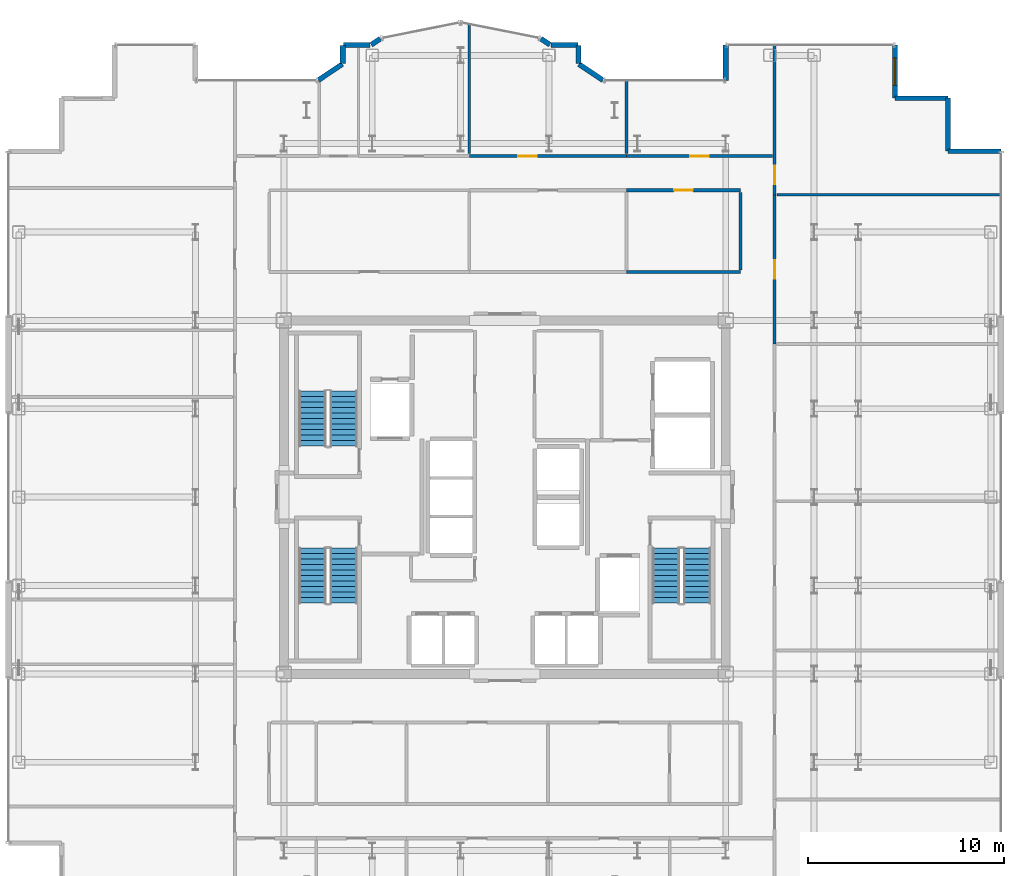
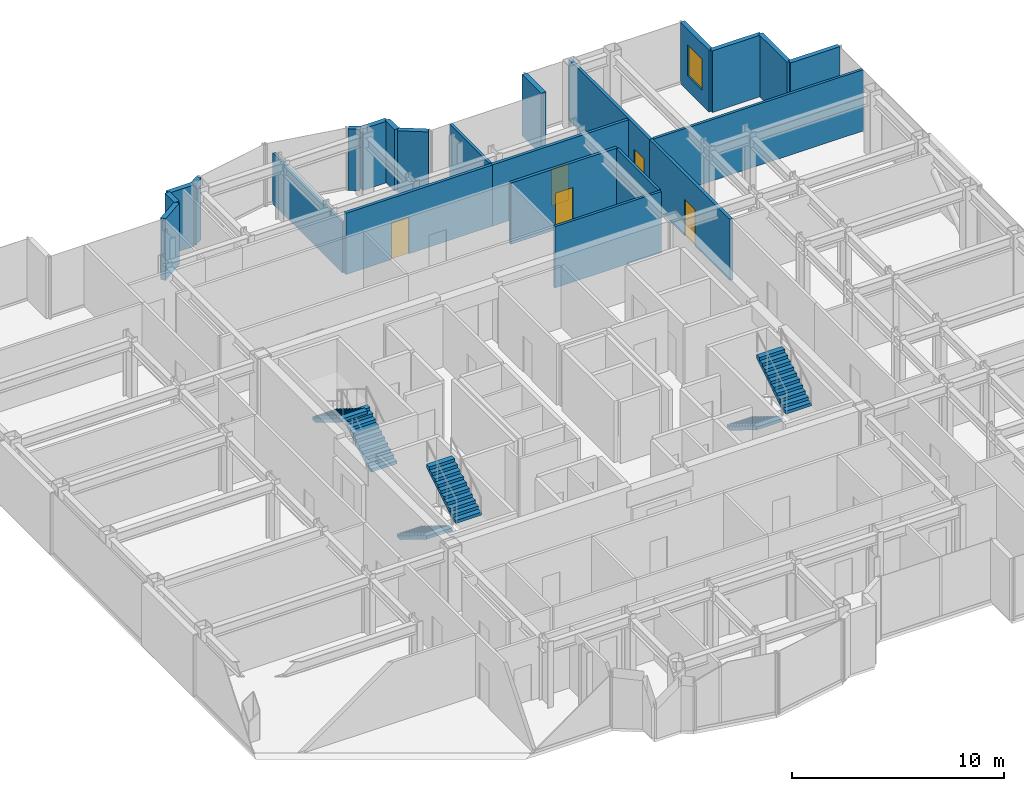
# One storey, part 20 of 21: 23 walls, 6 stair flights, 5 doors, 1 window, 6 openings, 3 elements without a shape of their own.
"""IFC4 building model written with IfcOpenShell, lengths in metres."""

from ifc_helpers import new_model, si_unit, direction, frame, frame_2d, origin, place, context, subcontext, project, spatial, polyline, rectangle, outline, extrude, source, transform, mapped, material, layer, layer_set, type_object, element, fill, aggregate, save


model = new_model("IFC4")

# Units and contexts
model_context = context("Model", 3, precision=1e-05, world=origin(), true_north=direction((0.0, 1.0)))
body_context = subcontext(model_context, "Body", "Model", "MODEL_VIEW")
ifc_project = project(units=[si_unit("LENGTHUNIT", "METRE"), si_unit("AREAUNIT", "SQUARE_METRE"), si_unit("VOLUMEUNIT", "CUBIC_METRE"), si_unit("PLANEANGLEUNIT", "RADIAN"), si_unit("MASSUNIT", "GRAM", prefix="KILO")], contexts=[model_context])

# Site, building, storey
site_placement = place(None, origin())
site = spatial("IfcSite", under=ifc_project, at=site_placement, CompositionType="ELEMENT")
building_placement = place(site_placement, origin())
building = spatial("IfcBuilding", under=site, at=building_placement, Name="Nefas-Gora Pilgrimage Tower", CompositionType="ELEMENT")
storey_placement = place(building_placement, frame((0.0, 0.0, 229.39990234375)))
storey = spatial("IfcBuildingStorey", under=building, at=storey_placement, Name="L57", CompositionType="ELEMENT", Elevation=229.39990234375)

# Walls
ifc_material_1 = material(Name="Precast concrete C40/50", Category="concrete")
ifc_layer_1 = layer(ifc_material_1, 0.260009765625)
ifc_layer_set_1 = layer_set([ifc_layer_1], Name="Precast concrete C40/50")
wall_type_1 = type_object("IfcWallType", Name="EW-PORTAL-260", PredefinedType="SOLIDWALL", material=ifc_layer_set_1)
shared_shape_1 = source(origin(), body_context, "Body", "SweptSolid", [
    extrude(rectangle(XDim=1.800048828125, YDim=0.260009765625, at=frame_2d((0.89990234375, 0.0))), origin(), (0.0, 0.0, 1.0), 3.550048828125),
])
wall_1_placement = place(storey_placement, frame((11.25, 23.02001953125, 0.0), z_axis=(0.0, 0.0, 1.0), x_axis=(0.0, -1.0, 0.0)))
element("IfcWall", 1, at=wall_1_placement, inside=storey, type_object=wall_type_1, Name="L57 Lobe Shoulder Precast Spandrel Pier 14", PredefinedType="SOLIDWALL", context=body_context, shape_type="MappedRepresentation", body=[
    mapped(shared_shape_1, transform((0.0, 0.0, 0.0), x_axis=(1.0, 0.0, 0.0), y_axis=(0.0, 1.0, 0.0), z_axis=(0.0, 0.0, 1.0), scale=1.0)),
])
ifc_material_2 = material(Name="Precast concrete C45/55", Category="concrete")
ifc_layer_2 = layer(ifc_material_2, 0.239990234375)
ifc_layer_set_2 = layer_set([ifc_layer_2], Name="Precast concrete C45/55")
wall_type_2 = type_object("IfcWallType", Name="EW-SERR-240", PredefinedType="SHEAR", material=ifc_layer_set_2)
shared_shape_2 = source(origin(), body_context, "Body", "SweptSolid", [
    extrude(rectangle(XDim=2.699951171875, YDim=0.239990234375, at=frame_2d((1.35009765625, 0.0))), origin(), (0.0, 0.0, 1.0), 3.550048828125),
])
for number, where, z_axis, x_axis, name in (
    (2, (25.27001953125, 17.6201171875, 0.0), (0.0, 0.0, 1.0), (-1.0, 0.0, 0.0), "L57 Serrated Corner Shear Pier Wall 10"),
    (3, (22.570068359375, 17.6201171875, 0.0), (0.0, 0.0, 1.0), (0.0, 1.0, 0.0), "L57 Serrated Corner Shear Pier Wall 11"),
    (4, (22.570068359375, 20.320068359375, 0.0), (0.0, 0.0, 1.0), (-1.0, 0.0, 0.0), "L57 Serrated Corner Shear Pier Wall 12"),
):
    element("IfcWall", number, at=place(storey_placement, frame(where, z_axis=z_axis, x_axis=x_axis)), inside=storey, type_object=wall_type_2, Name=name, PredefinedType="SHEAR", context=body_context, shape_type="MappedRepresentation", body=[
        mapped(shared_shape_2, transform((0.0, 0.0, 0.0), x_axis=(1.0, 0.0, 0.0), y_axis=(0.0, 1.0, 0.0), z_axis=(0.0, 0.0, 1.0), scale=1.0)),
    ])

# Wall, opening, window
wall_2_placement = place(storey_placement, frame((19.8701171875, 20.320068359375, 0.0), z_axis=(0.0, 0.0, 1.0), x_axis=(0.0, 1.0, 0.0)))
wall_2 = element("IfcWall", 5, at=wall_2_placement, inside=storey, type_object=wall_type_2, Name="L57 Serrated Corner Shear Pier Wall 13", PredefinedType="SHEAR", context=body_context, shape_type="MappedRepresentation", body=[
    mapped(shared_shape_2, transform((0.0, 0.0, 0.0), x_axis=(1.0, 0.0, 0.0), y_axis=(0.0, 1.0, 0.0), z_axis=(0.0, 0.0, 1.0), scale=1.0)),
])
opening_1_placement = place(wall_2_placement, frame((0.64990234375, 0.0, 0.85009765625)))
opening_1 = element("IfcOpeningElement", 6, at=opening_1_placement, cuts=wall_2, Name="Opening W-V2", PredefinedType="OPENING", context=body_context, shape_type="SweptSolid", body=[
    extrude(rectangle(XDim=1.39990234375, YDim=1.800048828125, at=frame_2d((0.699951171875, 0.89990234375))), frame((0.0, 0.1298828125, 0.0), z_axis=(0.0, -1.0, 0.0), x_axis=(1.0, 0.0, 0.0)), (0.0, 0.0, 1.0), 0.260009765625),
])
ifc_material_3 = material(Name="Dark ceramic-fritted operable aluminium-glass window", Category="aluminium")
window_type = type_object("IfcWindowType", Name="WIN-VENT-1400x1800", PartitioningType="SINGLE_PANEL", PredefinedType="WINDOW", material=ifc_material_3)
shared_shape_3 = source(origin(), body_context, "Body", "SweptSolid", [
    extrude(rectangle(XDim=1.39990234375, YDim=1.800048828125, at=frame_2d((0.699951171875, 0.89990234375))), frame((0.0, 0.030029296875, 0.0), z_axis=(0.0, -1.0, 0.0), x_axis=(1.0, 0.0, 0.0)), (0.0, 0.0, 1.0), 0.06005859375),
])
window_placement = place(opening_1_placement, origin())
window = element("IfcWindow", 7, at=window_placement, inside=storey, type_object=window_type, Name="L57 Operable Parallel-Outswing Window 13", OverallHeight=1.800048828125, OverallWidth=1.39990234375, PartitioningType="SINGLE_PANEL", PredefinedType="WINDOW", context=body_context, shape_type="MappedRepresentation", body=[
    mapped(shared_shape_3, transform((0.0, 0.0, 0.0), x_axis=(1.0, 0.0, 0.0), y_axis=(0.0, 1.0, 0.0), z_axis=(0.0, 0.0, 1.0), scale=1.0)),
])
fill(opening_1, window)

# Walls
shared_shape_4 = source(origin(), body_context, "Body", "SweptSolid", [
    extrude(rectangle(XDim=1.468994140625, YDim=0.260009765625, at=frame_2d((0.734375, 0.0))), origin(), (0.0, 0.0, 1.0), 3.550048828125),
])
for number, where, z_axis, x_axis, name in (
    (8, (4.99462890625, 21.235595703125, 0.0), (0.0, 0.0, 1.0), (-0.831461760506, 0.555581983884, 0.0), "L57 Lobe Shoulder Precast Spandrel Pier 15"),
    (9, (-8.273193359375, 22.0517578125, 0.0), (0.0, 0.0, 1.0), (-0.831461760506, -0.555581983884, 0.0), "L57 Lobe Shoulder Precast Spandrel Pier 22"),
):
    element("IfcWall", number, at=place(storey_placement, frame(where, z_axis=z_axis, x_axis=x_axis)), inside=storey, type_object=wall_type_1, Name=name, PredefinedType="SOLIDWALL", context=body_context, shape_type="MappedRepresentation", body=[
        mapped(shared_shape_4, transform((0.0, 0.0, 0.0), x_axis=(1.0, 0.0, 0.0), y_axis=(0.0, 1.0, 0.0), z_axis=(0.0, 0.0, 1.0), scale=1.0)),
    ])
shared_shape_5 = source(origin(), body_context, "Body", "SweptSolid", [
    extrude(rectangle(XDim=0.896728515625, YDim=0.260009765625, at=frame_2d((0.4482421875, 0.0))), origin(), (0.0, 0.0, 1.0), 3.550048828125),
])
for number, where, z_axis, x_axis, name in (
    (10, (3.75, 22.09521484375, 0.0), (0.0, 0.0, 1.0), (0.0, 1.0, 0.0), "L57 Lobe Shoulder Precast Spandrel Pier 16"),
    (11, (-8.25, 22.991943359375, 0.0), (0.0, 0.0, 1.0), (0.0, -1.0, 0.0), "L57 Lobe Shoulder Precast Spandrel Pier 21"),
):
    element("IfcWall", number, at=place(storey_placement, frame(where, z_axis=z_axis, x_axis=x_axis)), inside=storey, type_object=wall_type_1, Name=name, PredefinedType="SOLIDWALL", context=body_context, shape_type="MappedRepresentation", body=[
        mapped(shared_shape_5, transform((0.0, 0.0, 0.0), x_axis=(1.0, 0.0, 0.0), y_axis=(0.0, 1.0, 0.0), z_axis=(0.0, 0.0, 1.0), scale=1.0)),
    ])
shared_shape_6 = source(origin(), body_context, "Body", "SweptSolid", [
    extrude(rectangle(XDim=1.369873046875, YDim=0.260009765625, at=frame_2d((0.68505859375, 0.0))), origin(), (0.0, 0.0, 1.0), 3.550048828125),
])
for number, where, z_axis, x_axis, name in (
    (12, (3.721923828125, 23.02001953125, 0.0), (0.0, 0.0, 1.0), (-1.0, 0.0, 0.0), "L57 Lobe Shoulder Precast Spandrel Pier 17"),
    (13, (-6.85205078125, 23.02001953125, 0.0), (0.0, 0.0, 1.0), (-1.0, 0.0, 0.0), "L57 Lobe Shoulder Precast Spandrel Pier 20"),
):
    element("IfcWall", number, at=place(storey_placement, frame(where, z_axis=z_axis, x_axis=x_axis)), inside=storey, type_object=wall_type_1, Name=name, PredefinedType="SOLIDWALL", context=body_context, shape_type="MappedRepresentation", body=[
        mapped(shared_shape_6, transform((0.0, 0.0, 0.0), x_axis=(1.0, 0.0, 0.0), y_axis=(0.0, 1.0, 0.0), z_axis=(0.0, 0.0, 1.0), scale=1.0)),
    ])
shared_shape_7 = source(origin(), body_context, "Body", "SweptSolid", [
    extrude(rectangle(XDim=0.5654296875, YDim=0.260009765625, at=frame_2d((0.28271484375, 0.0))), origin(), (0.0, 0.0, 1.0), 3.550048828125),
])
for number, where, z_axis, x_axis, name in (
    (14, (2.30078125, 23.03564453125, 0.0), (0.0, 0.0, 1.0), (-0.831651492666, 0.555297933317, 0.0), "L57 Lobe Shoulder Precast Spandrel Pier 18"),
    (15, (-6.33056640625, 23.349609375, 0.0), (0.0, 0.0, 1.0), (-0.831651492666, -0.555297933317, 0.0), "L57 Lobe Shoulder Precast Spandrel Pier 19"),
):
    element("IfcWall", number, at=place(storey_placement, frame(where, z_axis=z_axis, x_axis=x_axis)), inside=storey, type_object=wall_type_1, Name=name, PredefinedType="SOLIDWALL", context=body_context, shape_type="MappedRepresentation", body=[
        mapped(shared_shape_7, transform((0.0, 0.0, 0.0), x_axis=(1.0, 0.0, 0.0), y_axis=(0.0, 1.0, 0.0), z_axis=(0.0, 0.0, 1.0), scale=1.0)),
    ])
ifc_material_4 = material(Name="Gypsum twin-stud partition")
ifc_layer_3 = layer(ifc_material_4, 0.139892578125)
ifc_layer_set_3 = layer_set([ifc_layer_3], Name="Gypsum twin-stud partition")
wall_type_3 = type_object("IfcWallType", Name="IW-UNIT-140", PredefinedType="PARTITIONING", material=ifc_layer_set_3)
shared_shape_8 = source(origin(), body_context, "Body", "SweptSolid", [
    extrude(rectangle(XDim=11.429931640625, YDim=0.139892578125, at=frame_2d((5.71484375, 0.0))), origin(), (0.0, 0.0, 1.0), 3.53515625),
])
wall_3_placement = place(storey_placement, frame((13.860107421875, 15.3974609375, 0.0), z_axis=(0.0, 0.0, 1.0), x_axis=(1.0, 0.0, 0.0)))
element("IfcWall", 16, at=wall_3_placement, inside=storey, type_object=wall_type_3, Name="L57 Pilgrim Contemplative Lounge Partition Wall 50", PredefinedType="PARTITIONING", context=body_context, shape_type="MappedRepresentation", body=[
    mapped(shared_shape_8, transform((0.0, 0.0, 0.0), x_axis=(1.0, 0.0, 0.0), y_axis=(0.0, 1.0, 0.0), z_axis=(0.0, 0.0, 1.0), scale=1.0)),
])
shared_shape_9 = source(origin(), body_context, "Body", "SweptSolid", [
    extrude(rectangle(XDim=3.929931640625, YDim=0.139892578125, at=frame_2d((1.96484375, 0.0))), origin(), (0.0, 0.0, 1.0), 3.53515625),
])
wall_4_placement = place(storey_placement, frame((12.0, 11.580078125, 0.0), z_axis=(0.0, 0.0, 1.0), x_axis=(0.0, 1.0, 0.0)))
element("IfcWall", 17, at=wall_4_placement, inside=storey, type_object=wall_type_3, Name="L57 Pilgrim Contemplative Lounge Partition Wall 67", PredefinedType="PARTITIONING", context=body_context, shape_type="MappedRepresentation", body=[
    mapped(shared_shape_9, transform((0.0, 0.0, 0.0), x_axis=(1.0, 0.0, 0.0), y_axis=(0.0, 1.0, 0.0), z_axis=(0.0, 0.0, 1.0), scale=1.0)),
])
shared_shape_10 = source(origin(), body_context, "Body", "SweptSolid", [
    extrude(rectangle(XDim=3.75, YDim=0.139892578125, at=frame_2d((1.875, 0.0))), origin(), (0.0, 0.0, 1.0), 3.53515625),
])
wall_5_placement = place(storey_placement, frame((6.195068359375, 17.489990234375, 0.0), z_axis=(0.0, 0.0, 1.0), x_axis=(0.0, 1.0, 0.0)))
element("IfcWall", 18, at=wall_5_placement, inside=storey, type_object=wall_type_3, Name="L57 Pilgrim Contemplative Lounge Partition Wall 60", PredefinedType="PARTITIONING", context=body_context, shape_type="MappedRepresentation", body=[
    mapped(shared_shape_10, transform((0.0, 0.0, 0.0), x_axis=(1.0, 0.0, 0.0), y_axis=(0.0, 1.0, 0.0), z_axis=(0.0, 0.0, 1.0), scale=1.0)),
])

# Wall, opening, door
ifc_material_5 = material(Name="Gypsum acoustic stud partition")
ifc_layer_4 = layer(ifc_material_5, 0.159912109375)
ifc_layer_set_4 = layer_set([ifc_layer_4], Name="Gypsum acoustic stud partition")
wall_type_4 = type_object("IfcWallType", Name="IW-CORR-160", PredefinedType="PARTITIONING", material=ifc_layer_set_4)
shared_shape_11 = source(origin(), body_context, "Body", "SweptSolid", [
    extrude(rectangle(XDim=8.010009765625, YDim=0.159912109375, at=frame_2d((4.0048828125, 0.0))), origin(), (0.0, 0.0, 1.0), 3.53515625),
])
wall_6_placement = place(storey_placement, frame((-1.804931640625, 17.3701171875, 0.0), z_axis=(0.0, 0.0, 1.0), x_axis=(1.0, 0.0, 0.0)))
wall_6 = element("IfcWall", 19, at=wall_6_placement, inside=storey, type_object=wall_type_4, Name="L57 Pilgrim Contemplative Lounge Partition Wall 59", PredefinedType="PARTITIONING", context=body_context, shape_type="MappedRepresentation", body=[
    mapped(shared_shape_11, transform((0.0, 0.0, 0.0), x_axis=(1.0, 0.0, 0.0), y_axis=(0.0, 1.0, 0.0), z_axis=(0.0, 0.0, 1.0), scale=1.0)),
])
opening_2_placement = place(wall_6_placement, frame((2.489990234375, 0.0, 0.0)))
opening_2 = element("IfcOpeningElement", 20, at=opening_2_placement, cuts=wall_6, Name="Opening ID-GR1", PredefinedType="OPENING", context=body_context, shape_type="SweptSolid", body=[
    extrude(rectangle(XDim=0.949951171875, YDim=2.10009765625, at=frame_2d((0.47509765625, 1.050048828125))), frame((0.0, 0.08984375, 0.0), z_axis=(0.0, -1.0, 0.0), x_axis=(1.0, 0.0, 0.0)), (0.0, 0.0, 1.0), 0.179931640625),
])
ifc_material_6 = material(Name="Solid core oak fire-rated guest entrance door")
door_type = type_object("IfcDoorType", Name="DR-INT-GUEST-950", OperationType="NOTDEFINED", PredefinedType="DOOR", material=ifc_material_6)
shared_shape_12 = source(origin(), body_context, "Body", "SweptSolid", [
    extrude(rectangle(XDim=0.949951171875, YDim=2.10009765625, at=frame_2d((0.47509765625, 1.050048828125))), frame((0.0, 0.02490234375, 0.0), z_axis=(0.0, -1.0, 0.0), x_axis=(1.0, 0.0, 0.0)), (0.0, 0.0, 1.0), 0.050048828125),
])
door_1_placement = place(opening_2_placement, origin())
door_1 = element("IfcDoor", 21, at=door_1_placement, inside=storey, type_object=door_type, Name="L57 Pilgrim Contemplative Lounge Door 27", OperationType="SINGLE_SWING_LEFT", OverallHeight=2.10009765625, OverallWidth=0.949951171875, PredefinedType="DOOR", context=body_context, shape_type="MappedRepresentation", body=[
    mapped(shared_shape_12, transform((0.0, 0.0, 0.0), x_axis=(1.0, 0.0, 0.0), y_axis=(0.0, 1.0, 0.0), z_axis=(0.0, 0.0, 1.0), scale=1.0)),
])
fill(opening_2, door_1)

# Wall
shared_shape_13 = source(origin(), body_context, "Body", "SweptSolid", [
    extrude(rectangle(XDim=6.6142578125, YDim=0.139892578125, at=frame_2d((3.30712890625, 0.0))), origin(), (0.0, 0.0, 1.0), 2.925048828125),
])
wall_7_placement = place(storey_placement, frame((-1.804931640625, 17.489990234375, 0.0), z_axis=(0.0, 0.0, 1.0), x_axis=(0.0, 1.0, 0.0)))
element("IfcWall", 22, at=wall_7_placement, inside=storey, type_object=wall_type_3, Name="L57 Pilgrim Contemplative Lounge Partition Wall 57", PredefinedType="PARTITIONING", context=body_context, shape_type="MappedRepresentation", body=[
    mapped(shared_shape_13, transform((0.0, 0.0, 0.0), x_axis=(1.0, 0.0, 0.0), y_axis=(0.0, 1.0, 0.0), z_axis=(0.0, 0.0, 1.0), scale=1.0)),
])

# Wall, opening, door
shared_shape_14 = source(origin(), body_context, "Body", "SweptSolid", [
    extrude(rectangle(XDim=7.652587890625, YDim=0.159912109375, at=frame_2d((3.826171875, 0.0))), origin(), (0.0, 0.0, 1.0), 3.53515625),
])
wall_8_placement = place(storey_placement, frame((13.739990234375, 15.387451171875, 0.0), z_axis=(0.0, 0.0, 1.0), x_axis=(0.0, 1.0, 0.0)))
wall_8 = element("IfcWall", 23, at=wall_8_placement, inside=storey, type_object=wall_type_4, Name="L57 Pilgrim Contemplative Lounge Partition Wall 49", PredefinedType="PARTITIONING", context=body_context, shape_type="MappedRepresentation", body=[
    mapped(shared_shape_14, transform((0.0, 0.0, 0.0), x_axis=(1.0, 0.0, 0.0), y_axis=(0.0, 1.0, 0.0), z_axis=(0.0, 0.0, 1.0), scale=1.0)),
])
opening_3_placement = place(wall_8_placement, frame((0.536376953125, 0.0, 0.0)))
opening_3 = element("IfcOpeningElement", 24, at=opening_3_placement, cuts=wall_8, Name="Opening ID-GR1", PredefinedType="OPENING", context=body_context, shape_type="SweptSolid", body=[
    extrude(rectangle(XDim=0.949951171875, YDim=2.10009765625, at=frame_2d((0.47509765625, 1.050048828125))), frame((0.0, 0.08984375, 0.0), z_axis=(0.0, -1.0, 0.0), x_axis=(1.0, 0.0, 0.0)), (0.0, 0.0, 1.0), 0.179931640625),
])
door_2_placement = place(opening_3_placement, origin())
door_2 = element("IfcDoor", 25, at=door_2_placement, inside=storey, type_object=door_type, Name="L57 Pilgrim Contemplative Lounge Door 22", OperationType="SINGLE_SWING_RIGHT", OverallHeight=2.10009765625, OverallWidth=0.949951171875, PredefinedType="DOOR", context=body_context, shape_type="MappedRepresentation", body=[
    mapped(shared_shape_12, transform((0.0, 0.0, 0.0), x_axis=(1.0, 0.0, 0.0), y_axis=(0.0, 1.0, 0.0), z_axis=(0.0, 0.0, 1.0), scale=1.0)),
])
fill(opening_3, door_2)

shared_shape_15 = source(origin(), body_context, "Body", "SweptSolid", [
    extrude(rectangle(XDim=7.592529296875, YDim=0.159912109375, at=frame_2d((3.79638671875, 0.0))), origin(), (0.0, 0.0, 1.0), 3.53515625),
])
wall_9_placement = place(storey_placement, frame((13.739990234375, 7.794921875, 0.0), z_axis=(0.0, 0.0, 1.0), x_axis=(0.0, 1.0, 0.0)))
wall_9 = element("IfcWall", 26, at=wall_9_placement, inside=storey, type_object=wall_type_4, Name="L57 Pilgrim Contemplative Lounge Partition Wall 51", PredefinedType="PARTITIONING", context=body_context, shape_type="MappedRepresentation", body=[
    mapped(shared_shape_15, transform((0.0, 0.0, 0.0), x_axis=(1.0, 0.0, 0.0), y_axis=(0.0, 1.0, 0.0), z_axis=(0.0, 0.0, 1.0), scale=1.0)),
])
opening_4_placement = place(wall_9_placement, frame((3.3212890625, 0.0, 0.0)))
opening_4 = element("IfcOpeningElement", 27, at=opening_4_placement, cuts=wall_9, Name="Opening ID-GR1", PredefinedType="OPENING", context=body_context, shape_type="SweptSolid", body=[
    extrude(rectangle(XDim=0.949951171875, YDim=2.10009765625, at=frame_2d((0.47509765625, 1.050048828125))), frame((0.0, 0.08984375, 0.0), z_axis=(0.0, -1.0, 0.0), x_axis=(1.0, 0.0, 0.0)), (0.0, 0.0, 1.0), 0.179931640625),
])
door_3_placement = place(opening_4_placement, origin())
door_3 = element("IfcDoor", 28, at=door_3_placement, inside=storey, type_object=door_type, Name="L57 Pilgrim Contemplative Lounge Door 23", OperationType="SINGLE_SWING_LEFT", OverallHeight=2.10009765625, OverallWidth=0.949951171875, PredefinedType="DOOR", context=body_context, shape_type="MappedRepresentation", body=[
    mapped(shared_shape_12, transform((0.0, 0.0, 0.0), x_axis=(1.0, 0.0, 0.0), y_axis=(0.0, 1.0, 0.0), z_axis=(0.0, 0.0, 1.0), scale=1.0)),
])
fill(opening_4, door_3)

shared_shape_16 = source(origin(), body_context, "Body", "SweptSolid", [
    extrude(rectangle(XDim=7.425048828125, YDim=0.159912109375, at=frame_2d((3.71240234375, 0.0))), origin(), (0.0, 0.0, 1.0), 3.53515625),
])
wall_10_placement = place(storey_placement, frame((6.195068359375, 17.3701171875, 0.0), z_axis=(0.0, 0.0, 1.0), x_axis=(1.0, 0.0, 0.0)))
wall_10 = element("IfcWall", 29, at=wall_10_placement, inside=storey, type_object=wall_type_4, Name="L57 Pilgrim Contemplative Lounge Partition Wall 64", PredefinedType="PARTITIONING", context=body_context, shape_type="MappedRepresentation", body=[
    mapped(shared_shape_16, transform((0.0, 0.0, 0.0), x_axis=(1.0, 0.0, 0.0), y_axis=(0.0, 1.0, 0.0), z_axis=(0.0, 0.0, 1.0), scale=1.0)),
])
opening_5_placement = place(wall_10_placement, frame((3.237548828125, 0.0, 0.0)))
opening_5 = element("IfcOpeningElement", 30, at=opening_5_placement, cuts=wall_10, Name="Opening ID-GR1", PredefinedType="OPENING", context=body_context, shape_type="SweptSolid", body=[
    extrude(rectangle(XDim=0.949951171875, YDim=2.10009765625, at=frame_2d((0.47509765625, 1.050048828125))), frame((0.0, 0.08984375, 0.0), z_axis=(0.0, -1.0, 0.0), x_axis=(1.0, 0.0, 0.0)), (0.0, 0.0, 1.0), 0.179931640625),
])
door_4_placement = place(opening_5_placement, origin())
door_4 = element("IfcDoor", 31, at=door_4_placement, inside=storey, type_object=door_type, Name="L57 Pilgrim Contemplative Lounge Door 29", OperationType="SINGLE_SWING_LEFT", OverallHeight=2.10009765625, OverallWidth=0.949951171875, PredefinedType="DOOR", context=body_context, shape_type="MappedRepresentation", body=[
    mapped(shared_shape_12, transform((0.0, 0.0, 0.0), x_axis=(1.0, 0.0, 0.0), y_axis=(0.0, 1.0, 0.0), z_axis=(0.0, 0.0, 1.0), scale=1.0)),
])
fill(opening_5, door_4)

shared_shape_17 = source(origin(), body_context, "Body", "SweptSolid", [
    extrude(rectangle(XDim=5.81494140625, YDim=0.159912109375, at=frame_2d((2.907470703125, 0.0))), origin(), (0.0, 0.0, 1.0), 3.53515625),
])
wall_11_placement = place(storey_placement, frame((6.195068359375, 15.6298828125, 0.0), z_axis=(0.0, 0.0, 1.0), x_axis=(1.0, 0.0, 0.0)))
wall_11 = element("IfcWall", 32, at=wall_11_placement, inside=storey, type_object=wall_type_4, Name="L57 Pilgrim Contemplative Lounge Partition Wall 65", PredefinedType="PARTITIONING", context=body_context, shape_type="MappedRepresentation", body=[
    mapped(shared_shape_17, transform((0.0, 0.0, 0.0), x_axis=(1.0, 0.0, 0.0), y_axis=(0.0, 1.0, 0.0), z_axis=(0.0, 0.0, 1.0), scale=1.0)),
])
opening_6_placement = place(wall_11_placement, frame((2.4326171875, 0.0, 0.0)))
opening_6 = element("IfcOpeningElement", 33, at=opening_6_placement, cuts=wall_11, Name="Opening ID-GR1", PredefinedType="OPENING", context=body_context, shape_type="SweptSolid", body=[
    extrude(rectangle(XDim=0.949951171875, YDim=2.10009765625, at=frame_2d((0.47509765625, 1.050048828125))), frame((0.0, 0.08984375, 0.0), z_axis=(0.0, -1.0, 0.0), x_axis=(1.0, 0.0, 0.0)), (0.0, 0.0, 1.0), 0.179931640625),
])
door_5_placement = place(opening_6_placement, origin())
door_5 = element("IfcDoor", 34, at=door_5_placement, inside=storey, type_object=door_type, Name="L57 Pilgrim Contemplative Lounge Door 30", OperationType="SINGLE_SWING_RIGHT", OverallHeight=2.10009765625, OverallWidth=0.949951171875, PredefinedType="DOOR", context=body_context, shape_type="MappedRepresentation", body=[
    mapped(shared_shape_12, transform((0.0, 0.0, 0.0), x_axis=(1.0, 0.0, 0.0), y_axis=(0.0, 1.0, 0.0), z_axis=(0.0, 0.0, 1.0), scale=1.0)),
])
fill(opening_6, door_5)

# Wall
shared_shape_18 = source(origin(), body_context, "Body", "SweptSolid", [
    extrude(rectangle(XDim=5.81494140625, YDim=0.139892578125, at=frame_2d((2.907470703125, 0.0))), origin(), (0.0, 0.0, 1.0), 3.53515625),
])
wall_12_placement = place(storey_placement, frame((6.195068359375, 11.469970703125, 0.0), z_axis=(0.0, 0.0, 1.0), x_axis=(1.0, 0.0, 0.0)))
element("IfcWall", 35, at=wall_12_placement, inside=storey, type_object=wall_type_3, Name="L57 Pilgrim Contemplative Lounge Partition Wall 66", PredefinedType="PARTITIONING", context=body_context, shape_type="MappedRepresentation", body=[
    mapped(shared_shape_18, transform((0.0, 0.0, 0.0), x_axis=(1.0, 0.0, 0.0), y_axis=(0.0, 1.0, 0.0), z_axis=(0.0, 0.0, 1.0), scale=1.0)),
])

# Stair, stair flights
ifc_material_7 = material(Name="Concrete C45/55", Category="concrete")
stair_type = type_object("IfcStairType", Name="STR-1400-R1727", PredefinedType="HALF_TURN_STAIR", material=ifc_material_7)
stair_1_placement = place(storey_placement, origin())
stair_1 = element("IfcStair", 36, at=stair_1_placement, inside=storey, type_object=stair_type, Name="L57 Pressurised Tower Exit Stair ST-01", PredefinedType="HALF_TURN_STAIR")
stair_flight_type = type_object("IfcStairFlightType", Name="STF-1400-R1727", PredefinedType="STRAIGHT", material=ifc_material_7)
shared_shape_19 = source(origin(), body_context, "Body", "SweptSolid", [
    extrude(outline(polyline([(0.0, 0.0), (0.0, 0.172607421875), (0.280029296875, 0.172607421875), (0.280029296875, 0.345458984375), (0.56005859375, 0.345458984375), (0.56005859375, 0.51806640625), (0.840087890625, 0.51806640625), (0.840087890625, 0.69091796875), (1.1201171875, 0.69091796875), (1.1201171875, 0.863525390625), (1.39990234375, 0.863525390625), (1.39990234375, 1.036376953125), (1.679931640625, 1.036376953125), (1.679931640625, 1.208984375), (1.9599609375, 1.208984375), (1.9599609375, 1.3818359375), (2.239990234375, 1.3818359375), (2.239990234375, 1.554443359375), (2.52001953125, 1.554443359375), (2.52001953125, 1.727294921875), (2.800048828125, 1.727294921875), (2.800048828125, 1.89990234375), (2.800048828125, 1.551025390625), (0.285400390625, 0.0), (0.0, 0.0)])), frame((0.0, 0.699951171875, 0.0), z_axis=(0.0, -1.0, 0.0), x_axis=(1.0, 0.0, 0.0)), (0.0, 0.0, 1.0), 1.39990234375),
])
stair_flight_1_placement = place(storey_placement, frame((-8.199951171875, 2.60009765625, 0.0), z_axis=(0.0, 0.0, 1.0), x_axis=(0.0, 1.0, 0.0)))
stair_flight_1 = element("IfcStairFlight", 37, at=stair_flight_1_placement, type_object=stair_flight_type, Name="ST-01 flight 1", NumberOfRisers=11, NumberOfTreads=10, PredefinedType="STRAIGHT", RiserHeight=0.172727273, TreadLength=0.28, context=body_context, shape_type="MappedRepresentation", body=[
    mapped(shared_shape_19, transform((0.0, 0.0, 0.0), x_axis=(1.0, 0.0, 0.0), y_axis=(0.0, 1.0, 0.0), z_axis=(0.0, 0.0, 1.0), scale=1.0)),
])
stair_flight_2_placement = place(storey_placement, frame((-9.800048828125, 5.39990234375, 1.900146484375), z_axis=(0.0, 0.0, 1.0), x_axis=(0.0, -1.0, 0.0)))
stair_flight_2 = element("IfcStairFlight", 38, at=stair_flight_2_placement, type_object=stair_flight_type, Name="ST-01 flight 2", NumberOfRisers=11, NumberOfTreads=10, PredefinedType="STRAIGHT", RiserHeight=0.172727273, TreadLength=0.28, context=body_context, shape_type="MappedRepresentation", body=[
    mapped(shared_shape_19, transform((0.0, 0.0, 0.0), x_axis=(1.0, 0.0, 0.0), y_axis=(0.0, 1.0, 0.0), z_axis=(0.0, 0.0, 1.0), scale=1.0)),
])
aggregate(stair_1, [stair_flight_1, stair_flight_2])

stair_2_placement = place(storey_placement, origin())
stair_2 = element("IfcStair", 39, at=stair_2_placement, inside=storey, type_object=stair_type, Name="L57 Pressurised Tower Exit Stair ST-02", PredefinedType="HALF_TURN_STAIR")
stair_flight_3_placement = place(storey_placement, frame((8.199951171875, -2.60009765625, 0.0), z_axis=(0.0, 0.0, 1.0), x_axis=(0.0, -1.0, 0.0)))
stair_flight_3 = element("IfcStairFlight", 40, at=stair_flight_3_placement, type_object=stair_flight_type, Name="ST-02 flight 1", NumberOfRisers=11, NumberOfTreads=10, PredefinedType="STRAIGHT", RiserHeight=0.172727273, TreadLength=0.28, context=body_context, shape_type="MappedRepresentation", body=[
    mapped(shared_shape_19, transform((0.0, 0.0, 0.0), x_axis=(1.0, 0.0, 0.0), y_axis=(0.0, 1.0, 0.0), z_axis=(0.0, 0.0, 1.0), scale=1.0)),
])
stair_flight_4_placement = place(storey_placement, frame((9.800048828125, -5.39990234375, 1.900146484375), z_axis=(0.0, 0.0, 1.0), x_axis=(0.0, 1.0, 0.0)))
stair_flight_4 = element("IfcStairFlight", 41, at=stair_flight_4_placement, type_object=stair_flight_type, Name="ST-02 flight 2", NumberOfRisers=11, NumberOfTreads=10, PredefinedType="STRAIGHT", RiserHeight=0.172727273, TreadLength=0.28, context=body_context, shape_type="MappedRepresentation", body=[
    mapped(shared_shape_19, transform((0.0, 0.0, 0.0), x_axis=(1.0, 0.0, 0.0), y_axis=(0.0, 1.0, 0.0), z_axis=(0.0, 0.0, 1.0), scale=1.0)),
])
aggregate(stair_2, [stair_flight_3, stair_flight_4])

stair_3_placement = place(storey_placement, origin())
stair_3 = element("IfcStair", 42, at=stair_3_placement, inside=storey, type_object=stair_type, Name="L57 Pressurised Tower Exit Stair ST-03", PredefinedType="HALF_TURN_STAIR")
stair_flight_5_placement = place(storey_placement, frame((-9.800048828125, -2.60009765625, 0.0), z_axis=(0.0, 0.0, 1.0), x_axis=(0.0, -1.0, 0.0)))
stair_flight_5 = element("IfcStairFlight", 43, at=stair_flight_5_placement, type_object=stair_flight_type, Name="ST-03 flight 1", NumberOfRisers=11, NumberOfTreads=10, PredefinedType="STRAIGHT", RiserHeight=0.172727273, TreadLength=0.28, context=body_context, shape_type="MappedRepresentation", body=[
    mapped(shared_shape_19, transform((0.0, 0.0, 0.0), x_axis=(1.0, 0.0, 0.0), y_axis=(0.0, 1.0, 0.0), z_axis=(0.0, 0.0, 1.0), scale=1.0)),
])
stair_flight_6_placement = place(storey_placement, frame((-8.199951171875, -5.39990234375, 1.900146484375), z_axis=(0.0, 0.0, 1.0), x_axis=(0.0, 1.0, 0.0)))
stair_flight_6 = element("IfcStairFlight", 44, at=stair_flight_6_placement, type_object=stair_flight_type, Name="ST-03 flight 2", NumberOfRisers=11, NumberOfTreads=10, PredefinedType="STRAIGHT", RiserHeight=0.172727273, TreadLength=0.28, context=body_context, shape_type="MappedRepresentation", body=[
    mapped(shared_shape_19, transform((0.0, 0.0, 0.0), x_axis=(1.0, 0.0, 0.0), y_axis=(0.0, 1.0, 0.0), z_axis=(0.0, 0.0, 1.0), scale=1.0)),
])
aggregate(stair_3, [stair_flight_5, stair_flight_6])

save(model, "model.ifc")
